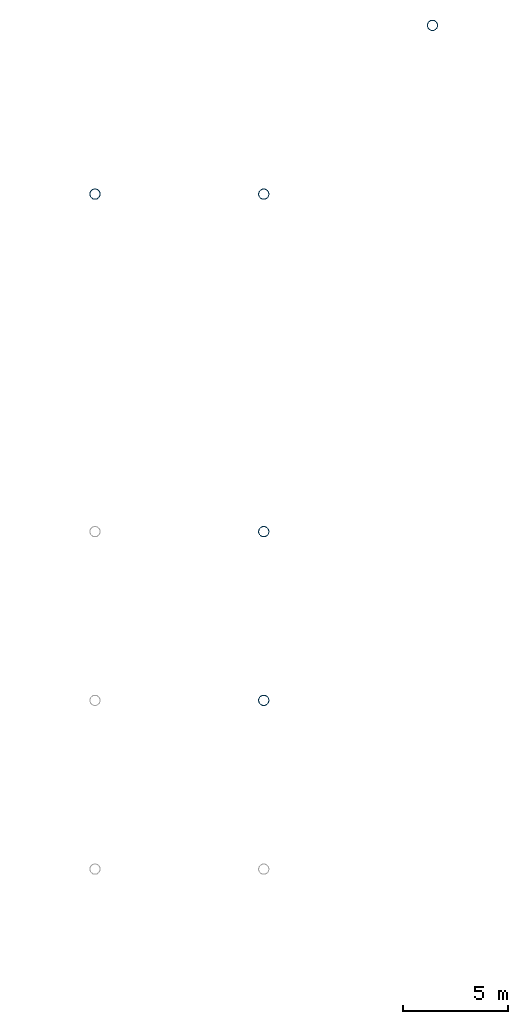
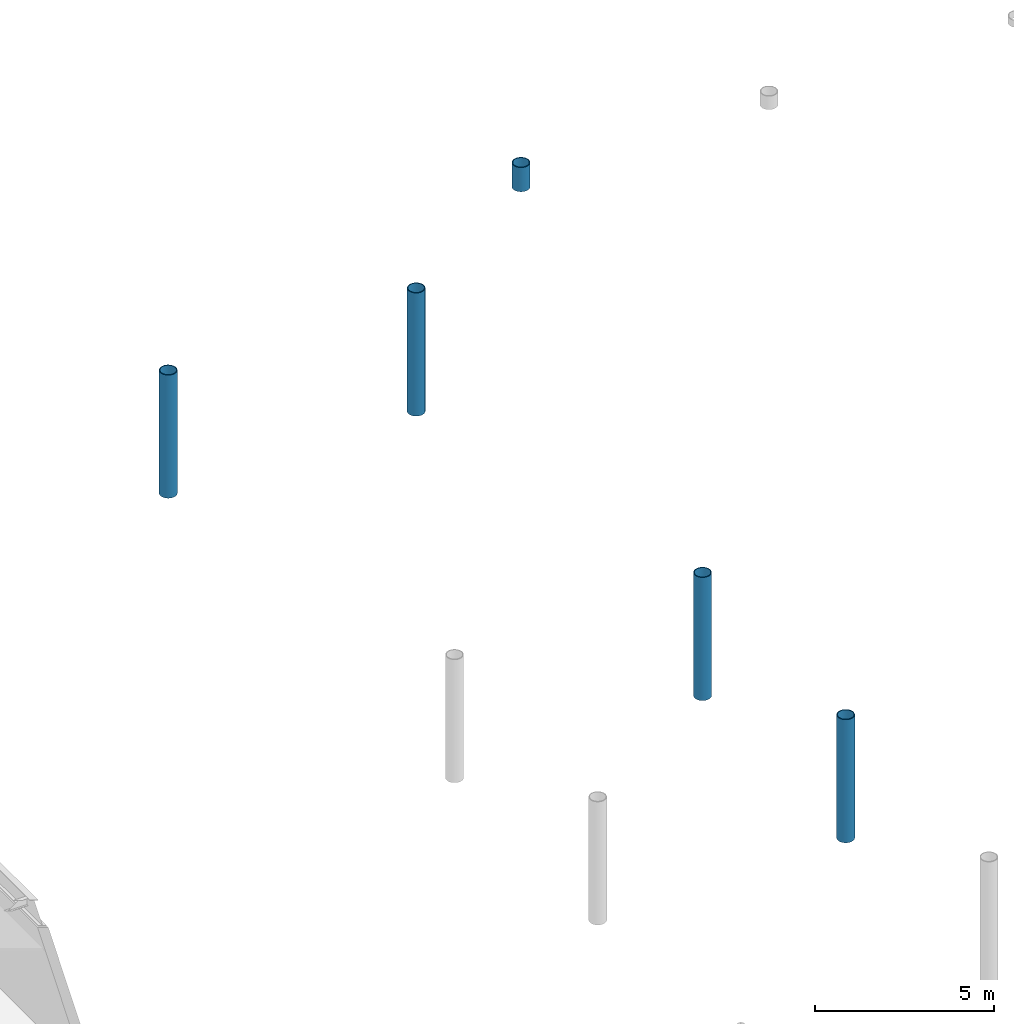
# One storey, part 7 of 41: 5 columns.
"""IFC4 building model written with IfcOpenShell, lengths in metres."""

from ifc_helpers import new_model, si_unit, direction, frame, origin, origin_2d, place, context, subcontext, project, spatial, hollow_circle, extrude, material, material_profile, profile_set, type_object, element, save


model = new_model("IFC4")

# Units and contexts
model_context = context("Model", 3, precision=1e-05, world=origin(), true_north=direction((0.0, 1.0)))
body_context = subcontext(model_context, "Body", "Model", "MODEL_VIEW")
ifc_project = project(units=[si_unit("LENGTHUNIT", "METRE"), si_unit("AREAUNIT", "SQUARE_METRE"), si_unit("VOLUMEUNIT", "CUBIC_METRE"), si_unit("PLANEANGLEUNIT", "RADIAN"), si_unit("MASSUNIT", "GRAM", prefix="KILO")], contexts=[model_context])

# Site, building, storey
site_placement = place(None, origin())
site = spatial("IfcSite", under=ifc_project, at=site_placement, CompositionType="ELEMENT")
building_placement = place(site_placement, origin())
building = spatial("IfcBuilding", under=site, at=building_placement, Name="Haebicheon Civic Stadium", CompositionType="ELEMENT")
storey_placement = place(building_placement, frame((0.0, 0.0, 27.0)))
storey = spatial("IfcBuildingStorey", under=building, at=storey_placement, Name="L07", CompositionType="ELEMENT", Elevation=27.0)

# Columns
ifc_material = material(Name="White painted steel SM490", Category="steel")
ifc_material_profile = material_profile(ifc_material, hollow_circle(Radius=0.25390625, WallThickness=0.02490234375, at=origin_2d()), Name="CHS-508.0x25.0")
ifc_profile_set = profile_set([ifc_material_profile], Name="White painted steel SM490")
column_type = type_object("IfcColumnType", Name="COL-ST-CHS508", PredefinedType="COLUMN", material=ifc_profile_set)
for number, where, z_axis, x_axis, name in (
    (1, (72.0, 112.0, 0.0), (0.0, 0.0, 1.0), (1.0, 0.0, 0.0), "Bowl/canopy support column 72/112 (L07)"),
    (2, (72.0, 120.0, 0.0), (0.0, 0.0, 1.0), (1.0, 0.0, 0.0), "Bowl/canopy support column 72/120 (L07)"),
    (3, (64.0, 136.0, 0.0), (0.0, 0.0, 1.0), (1.0, 0.0, 0.0), "Bowl/canopy support column 64/136 (L07)"),
    (4, (72.0, 136.0, 0.0), (0.0, 0.0, 1.0), (1.0, 0.0, 0.0), "Bowl/canopy support column 72/136 (L07)"),
):
    element("IfcColumn", number, at=place(storey_placement, frame(where, z_axis=z_axis, x_axis=x_axis)), inside=storey, type_object=column_type, material=ifc_profile_set, Name=name, PredefinedType="COLUMN", context=body_context, shape_type="SweptSolid", body=[
        extrude(hollow_circle(Radius=0.25390625, WallThickness=0.02490234375, at=origin_2d()), origin(), (0.0, 0.0, 1.0), 4.199951171875),
    ])
column_placement = place(storey_placement, frame((80.0, 144.0, 0.0), z_axis=(0.0, 0.0, 1.0), x_axis=(1.0, 0.0, 0.0)))
element("IfcColumn", 5, at=column_placement, inside=storey, type_object=column_type, material=ifc_profile_set, Name="Bowl/canopy support column 80/144 (L07)", PredefinedType="COLUMN", context=body_context, shape_type="SweptSolid", body=[
    extrude(hollow_circle(Radius=0.25390625, WallThickness=0.02490234375, at=origin_2d()), origin(), (0.0, 0.0, 1.0), 0.826904296875),
])

save(model, "model.ifc")
